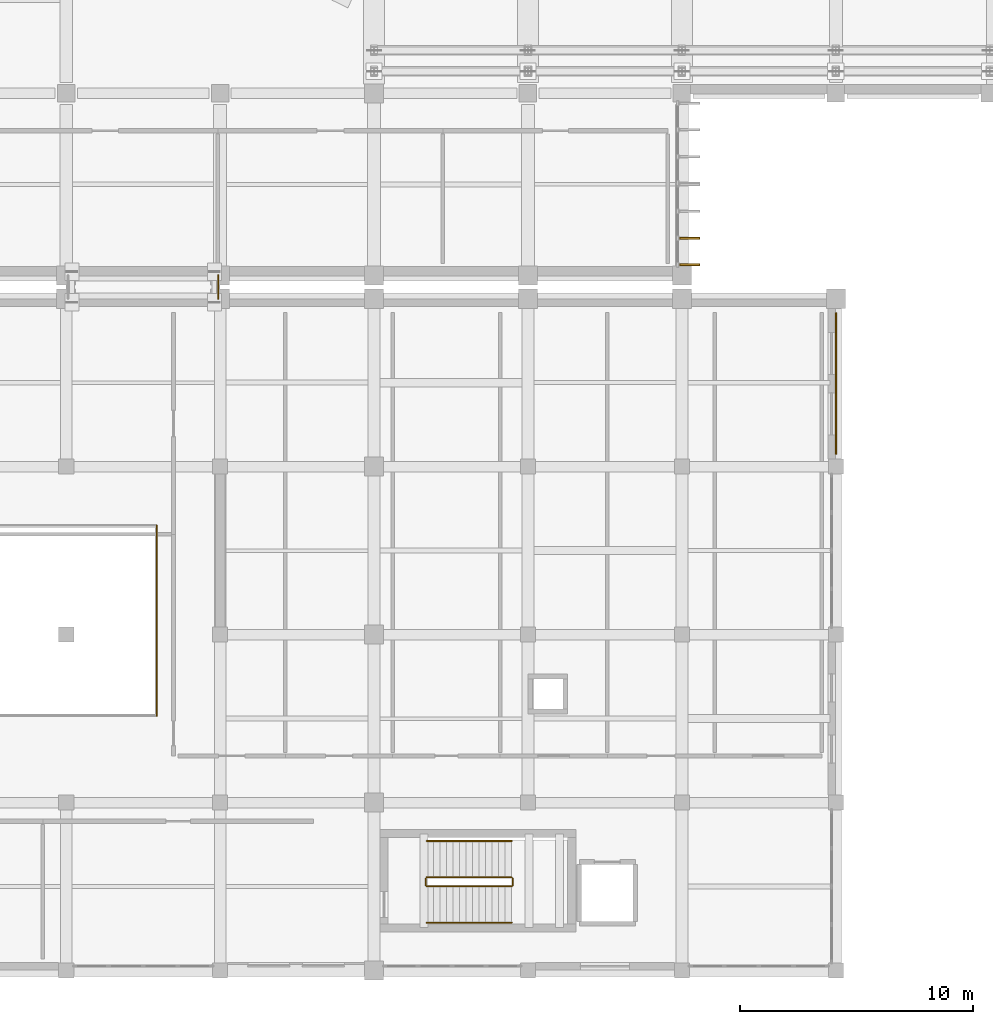
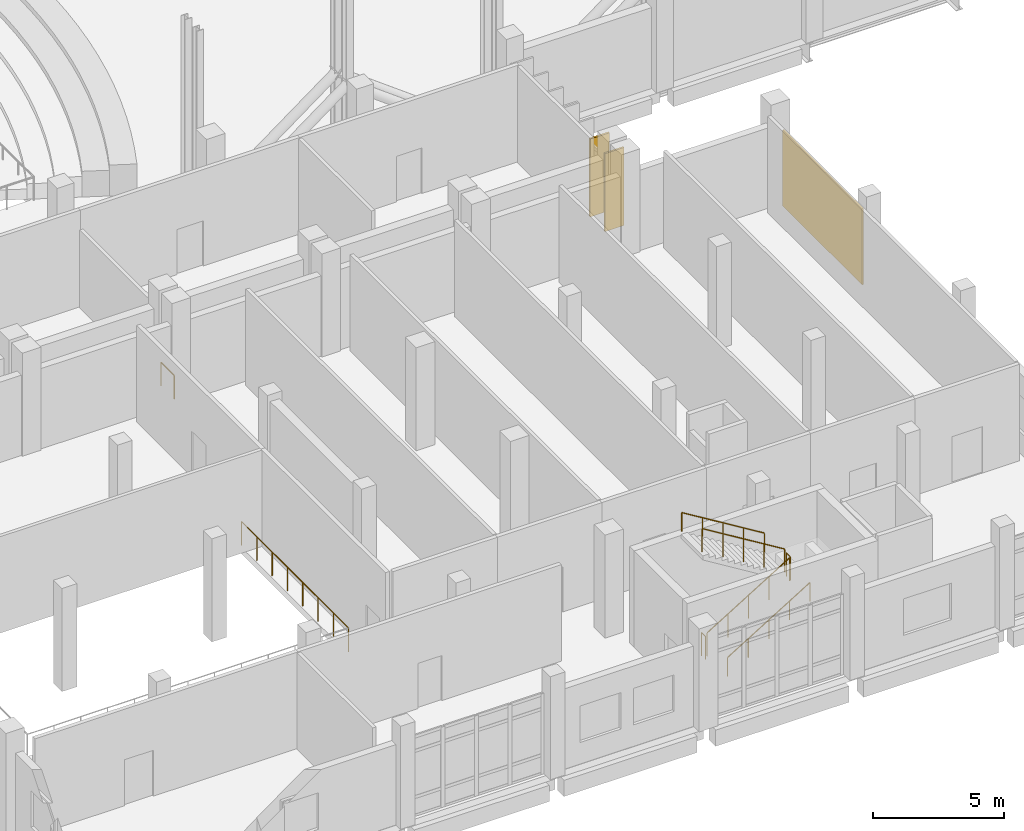
# One storey, part 65 of 73: 8 railings, 2 shading devices, 1 covering.
"""IFC4 building model written with IfcOpenShell, lengths in metres."""

from ifc_helpers import new_model, si_unit, direction, frame, origin, origin_2d, place, context, subcontext, project, spatial, rectangle, circle, extrude, material, layer, layer_set, type_object, element, save


model = new_model("IFC4")

# Units and contexts
model_context = context("Model", 3, precision=1e-05, world=origin(), true_north=direction((0.0, 1.0)))
body_context = subcontext(model_context, "Body", "Model", "MODEL_VIEW")
ifc_project = project(units=[si_unit("LENGTHUNIT", "METRE"), si_unit("AREAUNIT", "SQUARE_METRE"), si_unit("VOLUMEUNIT", "CUBIC_METRE"), si_unit("PLANEANGLEUNIT", "RADIAN"), si_unit("MASSUNIT", "GRAM", prefix="KILO")], contexts=[model_context])

# Site, building, storey
site_placement = place(None, origin())
site = spatial("IfcSite", under=ifc_project, at=site_placement, CompositionType="ELEMENT")
building_placement = place(site_placement, origin())
building = spatial("IfcBuilding", under=site, at=building_placement, Name="Kelarvand Opera House", CompositionType="ELEMENT")
storey_placement = place(building_placement, frame((0.0, 0.0, 10.199951171875)))
storey = spatial("IfcBuildingStorey", under=building, at=storey_placement, Name="L02", CompositionType="ELEMENT", Elevation=10.199951171875)

# Covering
ifc_material_1 = material(Name="Azarshahr buff travertine stone panels", Category="masonry")
ifc_layer_1 = layer(ifc_material_1, 0.06005859375, Name="Azarshahr buff travertine stone panels", Category="masonry")
ifc_layer_set_1 = layer_set([ifc_layer_1], Name="Azarshahr buff travertine stone panels")
covering_type = type_object("IfcCoveringType", Name="Azarshahr Honed Travertine Rainscreen Cladding 60mm", PredefinedType="CLADDING", material=ifc_layer_set_1)
covering_placement = place(storey_placement, frame((135.2060546875, 34.157470703125, 0.10009765625), z_axis=(0.0, 0.0, 1.0), x_axis=(0.0, -1.0, 0.0)))
element("IfcCovering", 1, at=covering_placement, inside=storey, type_object=covering_type, Name="V6 Travertine Facade Cladding 27", PredefinedType="CLADDING", context=body_context, shape_type="SweptSolid", body=[
    extrude(rectangle(XDim=6.06494140625, YDim=0.06005859375, at=origin_2d()), origin(), (0.0, 0.0, 1.0), 3.5419921875),
])

# Railings
ifc_material_2 = material(Name="Brushed bronze tubular rail")
railing_type_1 = type_object("IfcRailingType", Name="Brushed Bronze Stair Wall Handrail 900", PredefinedType="HANDRAIL", material=ifc_material_2)
railing_1_placement = place(storey_placement, frame((117.659912109375, 11.050048828125, 0.17138671875)))
element("IfcRailing", 2, at=railing_1_placement, inside=storey, type_object=railing_type_1, Name="L02 ST-08 stair handrail 1", PredefinedType="HANDRAIL", context=body_context, shape_type="SweptSolid", body=[
    extrude(circle(Radius=0.02392578125, at=origin_2d()), frame((0.0, 0.0, 0.8759765625), z_axis=(0.852840387347, 0.0, 0.522171689878), x_axis=(0.0, 1.0, 0.0)), (0.0, 0.0, 1.0), 4.268310546875),
    extrude(circle(Radius=0.02099609375, at=origin_2d()), origin(), (0.0, 0.0, 1.0), 0.851806640625),
    extrude(circle(Radius=0.02099609375, at=origin_2d()), frame((0.91015625, 0.0, 0.55712890625)), (0.0, 0.0, 1.0), 0.851806640625),
    extrude(circle(Radius=0.02099609375, at=origin_2d()), frame((1.820068359375, 0.0, 1.1142578125)), (0.0, 0.0, 1.0), 0.851806640625),
    extrude(circle(Radius=0.02099609375, at=origin_2d()), frame((2.72998046875, 0.0, 1.671630859375)), (0.0, 0.0, 1.0), 0.851806640625),
    extrude(circle(Radius=0.02099609375, at=origin_2d()), frame((3.64013671875, 0.0, 2.228759765625)), (0.0, 0.0, 1.0), 0.851806640625),
])
railing_2_placement = place(storey_placement, frame((121.300048828125, 14.550048828125, 2.571533203125)))
element("IfcRailing", 3, at=railing_2_placement, inside=storey, type_object=railing_type_1, Name="L02 ST-08 stair handrail 2", PredefinedType="HANDRAIL", context=body_context, shape_type="SweptSolid", body=[
    extrude(circle(Radius=0.02392578125, at=origin_2d()), frame((0.0, 0.0, 0.8759765625), z_axis=(-0.852865859571, 0.0, 0.52213008492), x_axis=(0.0, -1.0, 0.0)), (0.0, 0.0, 1.0), 4.26806640625),
    extrude(circle(Radius=0.02099609375, at=origin_2d()), origin(), (0.0, 0.0, 1.0), 0.851806640625),
    extrude(circle(Radius=0.02099609375, at=origin_2d()), frame((-0.91015625, 0.0, 0.55712890625)), (0.0, 0.0, 1.0), 0.851806640625),
    extrude(circle(Radius=0.02099609375, at=origin_2d()), frame((-1.820068359375, 0.0, 1.1142578125)), (0.0, 0.0, 1.0), 0.851806640625),
    extrude(circle(Radius=0.02099609375, at=origin_2d()), frame((-2.72998046875, 0.0, 1.67138671875)), (0.0, 0.0, 1.0), 0.851806640625),
    extrude(circle(Radius=0.02099609375, at=origin_2d()), frame((-3.64013671875, 0.0, 2.228515625)), (0.0, 0.0, 1.0), 0.851806640625),
])
ifc_material_3 = material(Name="Laminated safety glass with bronze cap rail", Category="glass")
railing_type_2 = type_object("IfcRailingType", Name="Laminated Glass and Bronze Foyer Balustrade 1120", PredefinedType="BALUSTRADE", material=ifc_material_3)
railing_3_placement = place(storey_placement, frame((106.080078125, 28.080078125, 0.0)))
element("IfcRailing", 4, at=railing_3_placement, inside=storey, type_object=railing_type_2, Name="V6 L02 Balustrade 78", PredefinedType="BALUSTRADE", context=body_context, shape_type="SweptSolid", body=[
    extrude(circle(Radius=0.02392578125, at=origin_2d()), frame((0.0, 0.0, 1.09619140625), z_axis=(0.0, -1.0, 0.0), x_axis=(1.0, 0.0, 0.0)), (0.0, 0.0, 1.0), 8.16015625),
    extrude(circle(Radius=0.02099609375, at=origin_2d()), origin(), (0.0, 0.0, 1.0), 1.072021484375),
    extrude(circle(Radius=0.02099609375, at=origin_2d()), frame((0.0, -1.165771484375, 0.0)), (0.0, 0.0, 1.0), 1.072021484375),
    extrude(circle(Radius=0.02099609375, at=origin_2d()), frame((0.0, -2.33154296875, 0.0)), (0.0, 0.0, 1.0), 1.072021484375),
    extrude(circle(Radius=0.02099609375, at=origin_2d()), frame((0.0, -3.497314453125, 0.0)), (0.0, 0.0, 1.0), 1.072021484375),
    extrude(circle(Radius=0.02099609375, at=origin_2d()), frame((0.0, -4.662841796875, 0.0)), (0.0, 0.0, 1.0), 1.072021484375),
    extrude(circle(Radius=0.02099609375, at=origin_2d()), frame((0.0, -5.82861328125, 0.0)), (0.0, 0.0, 1.0), 1.072021484375),
    extrude(circle(Radius=0.02099609375, at=origin_2d()), frame((0.0, -6.994384765625, 0.0)), (0.0, 0.0, 1.0), 1.072021484375),
    extrude(circle(Radius=0.02099609375, at=origin_2d()), frame((0.0, -8.16015625, 0.0)), (0.0, 0.0, 1.0), 1.072021484375),
])
railing_4_placement = place(storey_placement, frame((108.719970703125, 37.800048828125, 0.0)))
element("IfcRailing", 5, at=railing_4_placement, inside=storey, type_object=railing_type_2, Name="V1 L02 Balustrade 170", PredefinedType="BALUSTRADE", context=body_context, shape_type="SweptSolid", body=[
    extrude(circle(Radius=0.02392578125, at=origin_2d()), frame((0.0, 0.0, 1.09619140625), z_axis=(0.0, 1.0, 0.0), x_axis=(-1.0, 0.0, 0.0)), (0.0, 0.0, 1.0), 1.0),
    extrude(circle(Radius=0.02099609375, at=origin_2d()), origin(), (0.0, 0.0, 1.0), 1.072021484375),
    extrude(circle(Radius=0.02099609375, at=origin_2d()), frame((0.0, 1.0, 0.0)), (0.0, 0.0, 1.0), 1.072021484375),
])
ifc_material_4 = material(Name="Powder-coated Steel S355", Category="steel")
railing_type_3 = type_object("IfcRailingType", Name="Painted Steel Stair and Void Guardrail 1100", PredefinedType="GUARDRAIL", material=ifc_material_4)
railing_5_placement = place(storey_placement, frame((117.659912109375, 12.610107421875, 0.17138671875)))
element("IfcRailing", 6, at=railing_5_placement, inside=storey, type_object=railing_type_3, Name="L02 ST-08 stair guard 1", PredefinedType="GUARDRAIL", context=body_context, shape_type="SweptSolid", body=[
    extrude(circle(Radius=0.02392578125, at=origin_2d()), frame((0.0, 0.0, 1.076171875), z_axis=(0.852840387347, 0.0, 0.522171689878), x_axis=(0.0, 1.0, 0.0)), (0.0, 0.0, 1.0), 4.268310546875),
    extrude(circle(Radius=0.02099609375, at=origin_2d()), origin(), (0.0, 0.0, 1.0), 1.052001953125),
    extrude(circle(Radius=0.02099609375, at=origin_2d()), frame((0.91015625, 0.0, 0.55712890625)), (0.0, 0.0, 1.0), 1.052001953125),
    extrude(circle(Radius=0.02099609375, at=origin_2d()), frame((1.820068359375, 0.0, 1.1142578125)), (0.0, 0.0, 1.0), 1.052001953125),
    extrude(circle(Radius=0.02099609375, at=origin_2d()), frame((2.72998046875, 0.0, 1.671630859375)), (0.0, 0.0, 1.0), 1.052001953125),
    extrude(circle(Radius=0.02099609375, at=origin_2d()), frame((3.64013671875, 0.0, 2.228759765625)), (0.0, 0.0, 1.0), 1.052001953125),
])
railing_6_placement = place(storey_placement, frame((121.35009765625, 12.659912109375, 2.400146484375)))
element("IfcRailing", 7, at=railing_6_placement, inside=storey, type_object=railing_type_3, Name="L02 ST-08 stair guard 2", PredefinedType="GUARDRAIL", context=body_context, shape_type="SweptSolid", body=[
    extrude(circle(Radius=0.02392578125, at=origin_2d()), frame((0.0, 0.0, 1.076171875), z_axis=(0.0, 1.0, 0.0), x_axis=(-1.0, 0.0, 0.0)), (0.0, 0.0, 1.0), 0.280029296875),
    extrude(circle(Radius=0.02099609375, at=origin_2d()), origin(), (0.0, 0.0, 1.0), 1.052001953125),
    extrude(circle(Radius=0.02099609375, at=origin_2d()), frame((0.0, 0.280029296875, 0.0)), (0.0, 0.0, 1.0), 1.052001953125),
])
railing_7_placement = place(storey_placement, frame((121.300048828125, 12.989990234375, 2.571533203125)))
element("IfcRailing", 8, at=railing_7_placement, inside=storey, type_object=railing_type_3, Name="L02 ST-08 stair guard 3", PredefinedType="GUARDRAIL", context=body_context, shape_type="SweptSolid", body=[
    extrude(circle(Radius=0.02392578125, at=origin_2d()), frame((0.0, 0.0, 1.076171875), z_axis=(-0.852865859571, 0.0, 0.52213008492), x_axis=(0.0, -1.0, 0.0)), (0.0, 0.0, 1.0), 4.26806640625),
    extrude(circle(Radius=0.02099609375, at=origin_2d()), origin(), (0.0, 0.0, 1.0), 1.052001953125),
    extrude(circle(Radius=0.02099609375, at=origin_2d()), frame((-0.91015625, 0.0, 0.55712890625)), (0.0, 0.0, 1.0), 1.052001953125),
    extrude(circle(Radius=0.02099609375, at=origin_2d()), frame((-1.820068359375, 0.0, 1.1142578125)), (0.0, 0.0, 1.0), 1.052001953125),
    extrude(circle(Radius=0.02099609375, at=origin_2d()), frame((-2.72998046875, 0.0, 1.67138671875)), (0.0, 0.0, 1.0), 1.052001953125),
    extrude(circle(Radius=0.02099609375, at=origin_2d()), frame((-3.64013671875, 0.0, 2.228515625)), (0.0, 0.0, 1.0), 1.052001953125),
])
railing_8_placement = place(storey_placement, frame((117.610107421875, 12.659912109375, 0.0)))
element("IfcRailing", 9, at=railing_8_placement, inside=storey, type_object=railing_type_3, Name="L02 ST-08 stair guard 4", PredefinedType="GUARDRAIL", context=body_context, shape_type="SweptSolid", body=[
    extrude(circle(Radius=0.02392578125, at=origin_2d()), frame((0.0, 0.0, 1.076171875), z_axis=(0.0, 1.0, 0.0), x_axis=(-1.0, 0.0, 0.0)), (0.0, 0.0, 1.0), 0.280029296875),
    extrude(circle(Radius=0.02099609375, at=origin_2d()), origin(), (0.0, 0.0, 1.0), 1.052001953125),
    extrude(circle(Radius=0.02099609375, at=origin_2d()), frame((0.0, 0.280029296875, 0.0)), (0.0, 0.0, 1.0), 1.052001953125),
])

# Shading devices
ifc_material_5 = material(Name="Bronze-framed Azarshahr travertine fin", Category="masonry")
ifc_layer_2 = layer(ifc_material_5, 0.080078125, Name="Bronze-framed Azarshahr travertine fin", Category="masonry")
ifc_layer_set_2 = layer_set([ifc_layer_2], Name="Bronze-framed Azarshahr travertine fin")
shading_device_type = type_object("IfcShadingDeviceType", Name="Vertical Travertine-Bronze Solar Fin 850x80", PredefinedType="USERDEFINED", material=ifc_layer_set_2)
for number, where, z_axis, x_axis, name in (
    (10, (128.93994140625, 40.3857421875, 0.0), (0.0, 0.0, 1.0), (1.0, 0.0, 0.0), "V1 Solar Fin 93"),
    (11, (128.93994140625, 39.257568359375, 0.0), (0.0, 0.0, 1.0), (1.0, 0.0, 0.0), "V1 Solar Fin 94"),
):
    element("IfcShadingDevice", number, at=place(storey_placement, frame(where, z_axis=z_axis, x_axis=x_axis)), inside=storey, type_object=shading_device_type, Name=name, ObjectType="FIN", PredefinedType="USERDEFINED", context=body_context, shape_type="SweptSolid", body=[
        extrude(rectangle(XDim=0.85009765625, YDim=0.080078125, at=origin_2d()), origin(), (0.0, 0.0, 1.0), 3.6298828125),
    ])

save(model, "model.ifc")
